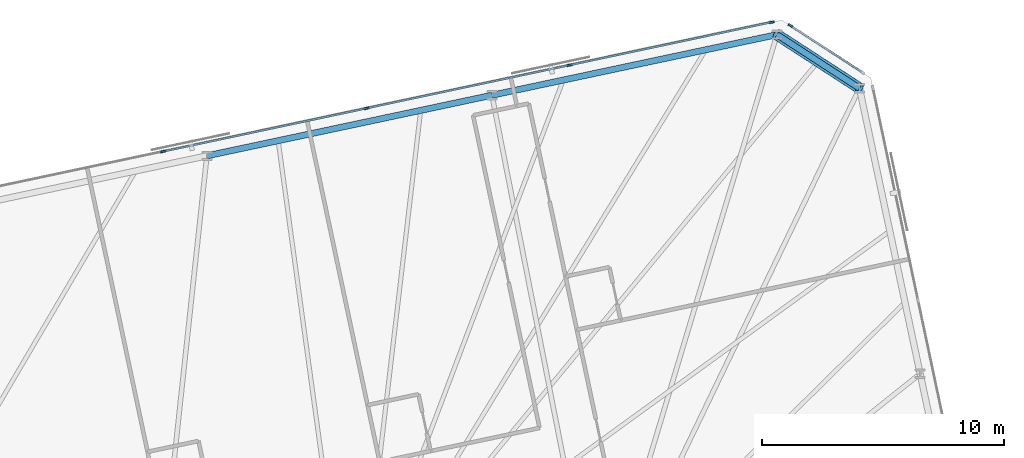
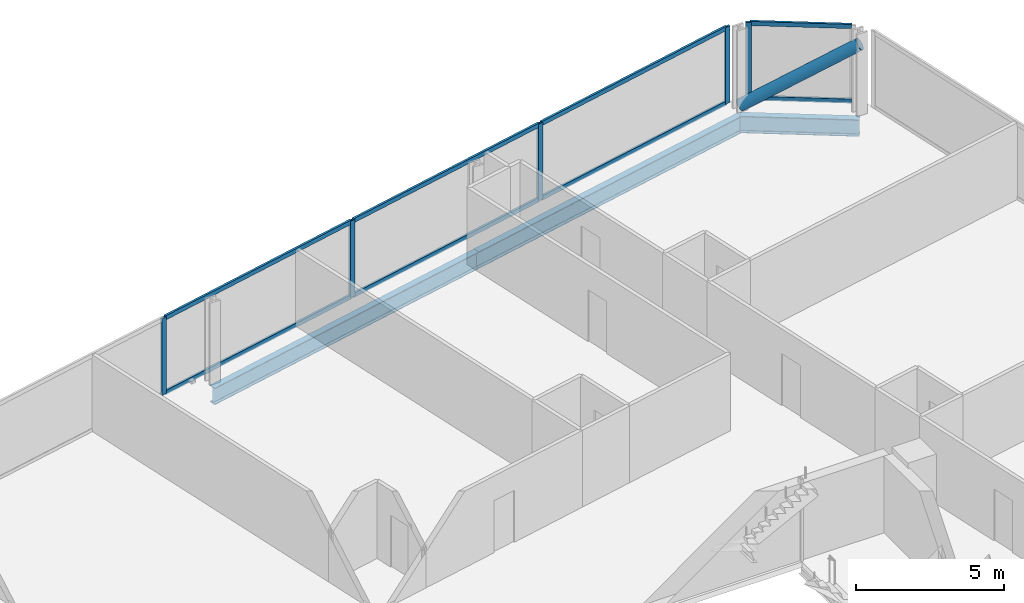
# One storey, part 11 of 19: 14 members, 3 beams, 2 elements without a shape of their own.
"""IFC4 building model written with IfcOpenShell, lengths in metres."""

import ifcopenshell
import ifcopenshell.guid

model = None  # the IFC model being written
_history = None  # IfcOwnerHistory: only IFC2X3 demands one
_inside = {}  # id of a spatial element -> (the spatial element, [elements in it])
_under = {}  # id of a project, library or spatial element -> (it, [spatial elements below it])
_declared = {}  # id of a project -> (the project, [libraries it declares])
_typed = {}  # id of a type object -> (the type object, [elements of that type])
_made_of = {}  # id of a material, layer set ... -> (it, [elements and type objects made of it])


def new_model(schema):
    """Start an empty IFC model of exactly this schema.

    Asked for "IFC4X3", IfcOpenShell would pick the latest addendum, in which some entities
    have other attributes; the version numbers below select the first issue.
    IFC2X3 requires an IfcOwnerHistory on every rooted entity: one is made here for all.
    """
    global model, _history
    if schema == "IFC4X3":
        model = ifcopenshell.file(schema_version=(4, 3, 0, 0))
    else:
        model = ifcopenshell.file(schema=schema)
    _inside.clear()
    _under.clear()
    _declared.clear()
    _typed.clear()
    _made_of.clear()
    _history = None
    if model.schema == "IFC2X3":
        org = make("IfcOrganization", Name="unknown")
        user = make(
            "IfcPersonAndOrganization",
            ThePerson=make("IfcPerson", FamilyName="unknown"),
            TheOrganization=org,
        )
        app = make(
            "IfcApplication",
            ApplicationDeveloper=org,
            Version="unknown",
            ApplicationFullName="unknown",
            ApplicationIdentifier="unknown",
        )
        _history = make(
            "IfcOwnerHistory",
            OwningUser=user,
            OwningApplication=app,
            ChangeAction="ADDED",
            CreationDate=0,
        )
    return model


def make(cls, **values):
    """One entity of the class cls with the attributes given. An attribute that is None is left unset."""
    return model.create_entity(
        cls, **{name: value for name, value in values.items() if value is not None}
    )


def rooted(cls, **values):
    """An entity with a GlobalId (a new one), such as an element, a storey or a relation."""
    return make(cls, GlobalId=ifcopenshell.guid.new(), OwnerHistory=_history, **values)


def si_unit(unit_type, name, prefix=None):
    """IfcSIUnit, for example si_unit("LENGTHUNIT", "METRE", prefix="MILLI")."""
    return make("IfcSIUnit", UnitType=unit_type, Prefix=prefix, Name=name)


def assignment(units):
    """IfcUnitAssignment: the units of a project."""
    return None if units is None else make("IfcUnitAssignment", Units=units)


def point(xyz):
    """IfcCartesianPoint."""
    return None if xyz is None else make("IfcCartesianPoint", Coordinates=xyz)


def direction(xyz):
    """IfcDirection."""
    return None if xyz is None else make("IfcDirection", DirectionRatios=xyz)


def frame(location, z_axis=None, x_axis=None):
    """IfcAxis2Placement3D, a coordinate frame: its origin and axes. An axis left out is left unset."""
    return make(
        "IfcAxis2Placement3D",
        Location=point(location),
        Axis=direction(z_axis),
        RefDirection=direction(x_axis),
    )


def frame_2d(location, x_axis=None):
    """IfcAxis2Placement2D, a coordinate frame in the plane: its origin and x axis."""
    return make(
        "IfcAxis2Placement2D", Location=point(location), RefDirection=direction(x_axis)
    )


def origin():
    """The frame at (0, 0, 0) with its axes left unset."""
    return frame((0.0, 0.0, 0.0))


def origin_2d():
    """The frame at (0, 0) in the plane with its x axis left unset."""
    return frame_2d((0.0, 0.0))


def place(relative_to, where):
    """IfcLocalPlacement: puts the frame where relative to a parent placement (None: the world)."""
    return make(
        "IfcLocalPlacement", PlacementRelTo=relative_to, RelativePlacement=where
    )


def context(
    kind, dimensions, precision=None, world=None, true_north=None, identifier=None
):
    """IfcGeometricRepresentationContext, for example the 3D "Model" context."""
    return make(
        "IfcGeometricRepresentationContext",
        ContextIdentifier=identifier,
        ContextType=kind,
        CoordinateSpaceDimension=dimensions,
        Precision=precision,
        WorldCoordinateSystem=world,
        TrueNorth=true_north,
    )


def subcontext(parent, identifier, kind, view, scale=None):
    """IfcGeometricRepresentationSubContext, for example "Body" below "Model"."""
    return make(
        "IfcGeometricRepresentationSubContext",
        ContextIdentifier=identifier,
        ContextType=kind,
        ParentContext=parent,
        TargetScale=scale,
        TargetView=view,
    )


def project(units=None, contexts=None):
    """IfcProject with its units and contexts."""
    return rooted(
        "IfcProject",
        Name="project",
        RepresentationContexts=contexts,
        UnitsInContext=assignment(units),
    )


def spatial(cls, under=None, at=None, **own):
    """A site, building, storey or space (cls), placed at a placement, below another one or the project."""
    s = rooted(cls, ObjectPlacement=at, **own)
    if under is not None:
        _under.setdefault(under.id(), (under, []))[1].append(s)
    return s


def profile(cls, at=None, kind="AREA", **sizes):
    """A parametric profile (cls). Its sizes go by their IFC names, for example OverallWidth=200.0."""
    return make(cls, ProfileType=kind, Position=at, **sizes)


def rectangle(**sizes):
    """IfcRectangleProfileDef."""
    return profile("IfcRectangleProfileDef", **sizes)


def hollow_circle(**sizes):
    """IfcCircleHollowProfileDef."""
    return profile("IfcCircleHollowProfileDef", **sizes)


def i_section(**sizes):
    """IfcIShapeProfileDef."""
    return profile("IfcIShapeProfileDef", **sizes)


def extrude(swept, where, along, depth):
    """IfcExtrudedAreaSolid: the profile swept, set in the frame where, extruded along a direction by depth."""
    return make(
        "IfcExtrudedAreaSolid",
        SweptArea=swept,
        Position=where,
        ExtrudedDirection=direction(along),
        Depth=depth,
    )


def shape(context_of_items, identifier, shape_type, items):
    """IfcShapeRepresentation: the items that make up one representation, for example the "Body"."""
    return make(
        "IfcShapeRepresentation",
        ContextOfItems=context_of_items,
        RepresentationIdentifier=identifier,
        RepresentationType=shape_type,
        Items=items,
    )


def material(Name=None, Category=None):
    """IfcMaterial."""
    return make("IfcMaterial", Name=Name, Category=Category)


def material_profile(
    of_material, cross_section, Name=None, Category=None, Priority=None
):
    """IfcMaterialProfile: a cross section and its material."""
    return make(
        "IfcMaterialProfile",
        Name=Name,
        Material=of_material,
        Profile=cross_section,
        Priority=Priority,
        Category=Category,
    )


def profile_set(profiles, Name=None, composite=None):
    """IfcMaterialProfileSet."""
    return make(
        "IfcMaterialProfileSet",
        Name=Name,
        MaterialProfiles=profiles,
        CompositeProfile=composite,
    )


def made_of(thing, what):
    """Note that an element or type object is made of a material, layer set ...; save() writes the relation."""
    if what is not None:
        _made_of.setdefault(what.id(), (what, []))[1].append(thing)
    return thing


def type_object(cls, material=None, **own):
    """A type object (cls), such as IfcWallType, which elements share."""
    return made_of(rooted(cls, **own), material)


def element(
    cls,
    number,
    at=None,
    inside=None,
    cuts=None,
    type_object=None,
    material=None,
    context=None,
    identifier="Body",
    shape_type=None,
    held_by="IfcProductDefinitionShape",
    body=None,
    shapes=None,
    **own,
):
    """One element of the class cls, such as IfcWall. Its Tag is "e" and its number.

    at: its placement. inside: the storey or other place that contains it. cuts: it is an
    opening in that element (IfcRelVoidsElement). A single representation is given by context,
    identifier, shape_type and body (its items); several are given by shapes. held_by: the class
    of the entity that holds the representations. save() writes the other relations.
    """
    e = rooted(cls, Tag="e%d" % number, ObjectPlacement=at, **own)
    if body is not None:
        shapes = [shape(context, identifier, shape_type, body)]
    if shapes is not None:
        e.Representation = make(held_by, Representations=shapes)
    if inside is not None:
        _inside.setdefault(inside.id(), (inside, []))[1].append(e)
    if cuts is not None:
        rooted(
            "IfcRelVoidsElement", RelatingBuildingElement=cuts, RelatedOpeningElement=e
        )
    if type_object is not None:
        _typed.setdefault(type_object.id(), (type_object, []))[1].append(e)
    return made_of(e, material)


def aggregate(whole, parts):
    """IfcRelAggregates: a whole, such as a stair, and the parts it consists of."""
    return rooted("IfcRelAggregates", RelatingObject=whole, RelatedObjects=parts)


def save(model, path):
    """Write the relations noted so far, then the file.

    IfcRelAggregates (storeys below a building ...), IfcRelContainedInSpatialStructure (elements
    in a storey), IfcRelDefinesByType, IfcRelAssociatesMaterial and IfcRelDeclares: one each for
    every whole, place, type object, material and project.
    """
    for whole, parts in _under.values():
        aggregate(whole, parts)
    for where, things in _inside.values():
        rooted(
            "IfcRelContainedInSpatialStructure",
            RelatedElements=things,
            RelatingStructure=where,
        )
    for kind, things in _typed.values():
        rooted("IfcRelDefinesByType", RelatedObjects=things, RelatingType=kind)
    for what, things in _made_of.values():
        rooted("IfcRelAssociatesMaterial", RelatedObjects=things, RelatingMaterial=what)
    for by, libraries in _declared.values():
        rooted("IfcRelDeclares", RelatingContext=by, RelatedDefinitions=libraries)
    model.write(path)


model = new_model("IFC4")

# Units and contexts
model_context = context("Model", 3, precision=1e-05, world=origin(), true_north=direction((0.0, 1.0)))
body_context = subcontext(model_context, "Body", "Model", "MODEL_VIEW")
ifc_project = project(units=[si_unit("LENGTHUNIT", "METRE"), si_unit("AREAUNIT", "SQUARE_METRE"), si_unit("VOLUMEUNIT", "CUBIC_METRE"), si_unit("PLANEANGLEUNIT", "RADIAN"), si_unit("MASSUNIT", "GRAM", prefix="KILO")], contexts=[model_context])

# Site, building, storey
site_placement = place(None, origin())
site = spatial("IfcSite", under=ifc_project, at=site_placement, CompositionType="ELEMENT")
building_placement = place(site_placement, origin())
building = spatial("IfcBuilding", under=site, at=building_placement, Name="Menara Jurai Vektor", CompositionType="ELEMENT")
storey_placement = place(building_placement, frame((0.0, 0.0, 161.60009765625)))
storey = spatial("IfcBuildingStorey", under=building, at=storey_placement, Name="L41", CompositionType="ELEMENT", Elevation=161.60009765625)

# Curtain wall, member
ifc_material_1 = material(Name="Anodised Pale Aluminium & Low-E Double Glazing", Category="aluminium")
curtain_wall_type = type_object("IfcCurtainWallType", Name="CW-BLK3", PredefinedType="NOTDEFINED", material=ifc_material_1)
curtain_wall_1_placement = place(storey_placement, origin())
curtain_wall_1 = element("IfcCurtainWall", 1, at=curtain_wall_1_placement, inside=storey, type_object=curtain_wall_type, Name="Unitised Curtain Wall L41 F04", PredefinedType="NOTDEFINED")
ifc_material_2 = material(Name="Anodised Pale Aluminium Mullion", Category="aluminium")
ifc_material_profile_1 = material_profile(ifc_material_2, rectangle(XDim=0.0849609375, YDim=0.205078125, at=origin_2d()), Name="ALU MUL 85x205")
ifc_profile_set_1 = profile_set([ifc_material_profile_1], Name="Anodised Pale Aluminium Mullion")
member_type_1 = type_object("IfcMemberType", Name="CW-BLK3-MUL", PredefinedType="MULLION", material=ifc_profile_set_1)
member_1_placement = place(storey_placement, frame((23.219970703125, 29.920654296875, 0.0), z_axis=(0.0, 0.0, 1.0), x_axis=(-0.544617794346, -0.838684361415, 0.0)))
member_1 = element("IfcMember", 2, at=member_1_placement, type_object=member_type_1, Name="CW-03 mullion 2", PredefinedType="MULLION", context=body_context, shape_type="SweptSolid", body=[
    extrude(rectangle(XDim=0.0849609375, YDim=0.205078125, at=origin_2d()), origin(), (0.0, 0.0, 1.0), 3.1748046875),
])

# Curtain wall, members
curtain_wall_2_placement = place(storey_placement, origin())
curtain_wall_2 = element("IfcCurtainWall", 3, at=curtain_wall_2_placement, inside=storey, type_object=curtain_wall_type, Name="Unitised Curtain Wall L41 F05", PredefinedType="NOTDEFINED")
member_2_placement = place(storey_placement, frame((22.452392578125, 30.062744140625, 0.0), z_axis=(0.0, 0.0, 1.0), x_axis=(0.207911344156, -0.978147674419, 0.0)))
member_2 = element("IfcMember", 4, at=member_2_placement, type_object=member_type_1, Name="CW-03 mullion 1", PredefinedType="MULLION", context=body_context, shape_type="SweptSolid", body=[
    extrude(rectangle(XDim=0.0849609375, YDim=0.205078125, at=origin_2d()), origin(), (0.0, 0.0, 1.0), 3.1748046875),
])
member_3_placement = place(storey_placement, frame((14.104248046875, 28.288330078125, 0.0), z_axis=(0.0, 0.0, 1.0), x_axis=(0.207911344156, -0.978147674419, 0.0)))
member_3 = element("IfcMember", 5, at=member_3_placement, type_object=member_type_1, Name="CW-03 mullion 2", PredefinedType="MULLION", context=body_context, shape_type="SweptSolid", body=[
    extrude(rectangle(XDim=0.0849609375, YDim=0.205078125, at=origin_2d()), origin(), (0.0, 0.0, 1.0), 3.1748046875),
])
member_4_placement = place(storey_placement, frame((5.71435546875, 26.505126953125, 0.0), z_axis=(0.0, 0.0, 1.0), x_axis=(0.207911344156, -0.978147674419, 0.0)))
member_4 = element("IfcMember", 6, at=member_4_placement, type_object=member_type_1, Name="CW-03 mullion 3", PredefinedType="MULLION", context=body_context, shape_type="SweptSolid", body=[
    extrude(rectangle(XDim=0.0849609375, YDim=0.205078125, at=origin_2d()), origin(), (0.0, 0.0, 1.0), 3.1748046875),
])
member_5_placement = place(storey_placement, frame((-2.67529296875, 24.721923828125, 0.0), z_axis=(0.0, 0.0, 1.0), x_axis=(0.207911344156, -0.978147674419, 0.0)))
member_5 = element("IfcMember", 7, at=member_5_placement, type_object=member_type_1, Name="CW-03 mullion 4", PredefinedType="MULLION", context=body_context, shape_type="SweptSolid", body=[
    extrude(rectangle(XDim=0.0849609375, YDim=0.205078125, at=origin_2d()), origin(), (0.0, 0.0, 1.0), 3.1748046875),
])

# Member
ifc_material_3 = material(Name="Anodised Pale Aluminium Transom", Category="aluminium")
ifc_material_profile_2 = material_profile(ifc_material_3, rectangle(XDim=0.0849609375, YDim=0.175048828125, at=origin_2d()), Name="ALU TRN 85x175")
ifc_profile_set_2 = profile_set([ifc_material_profile_2], Name="Anodised Pale Aluminium Transom")
member_type_2 = type_object("IfcMemberType", Name="CW-BLK3-TRN", PredefinedType="USERDEFINED", material=ifc_profile_set_2)
member_6_placement = place(storey_placement, frame((26.15234375, 28.016357421875, 0.04248046875), z_axis=(-0.83867770631, 0.54462804274, 0.0), x_axis=(-0.54462804274, -0.83867770631, 0.0)))
member_6 = element("IfcMember", 8, at=member_6_placement, type_object=member_type_2, Name="CW-03 transom 1.1", ObjectType="TRANSOM", PredefinedType="USERDEFINED", context=body_context, shape_type="SweptSolid", body=[
    extrude(rectangle(XDim=0.0849609375, YDim=0.175048828125, at=origin_2d()), origin(), (0.0, 0.0, 1.0), 3.453857421875),
])

member_7_placement = place(storey_placement, frame((26.15234375, 28.016357421875, 3.13232421875), z_axis=(-0.83867770631, 0.54462804274, 0.0), x_axis=(-0.54462804274, -0.83867770631, 0.0)))
member_7 = element("IfcMember", 9, at=member_7_placement, type_object=member_type_2, Name="CW-03 transom 1.2", ObjectType="TRANSOM", PredefinedType="USERDEFINED", context=body_context, shape_type="SweptSolid", body=[
    extrude(rectangle(XDim=0.0849609375, YDim=0.175048828125, at=origin_2d()), origin(), (0.0, 0.0, 1.0), 3.453857421875),
])

aggregate(curtain_wall_1, [member_1, member_6, member_7])

member_8_placement = place(storey_placement, frame((22.41064453125, 30.053955078125, 0.04248046875), z_axis=(-0.978151580361, -0.207892967261, 0.0), x_axis=(0.207892967261, -0.978151580361, 0.0)))
member_8 = element("IfcMember", 10, at=member_8_placement, type_object=member_type_2, Name="CW-03 transom 1.1", ObjectType="TRANSOM", PredefinedType="USERDEFINED", context=body_context, shape_type="SweptSolid", body=[
    extrude(rectangle(XDim=0.0849609375, YDim=0.175048828125, at=origin_2d()), origin(), (0.0, 0.0, 1.0), 8.449462890625),
])

member_9_placement = place(storey_placement, frame((22.41064453125, 30.053955078125, 3.13232421875), z_axis=(-0.978151580361, -0.207892967261, 0.0), x_axis=(0.207892967261, -0.978151580361, 0.0)))
member_9 = element("IfcMember", 11, at=member_9_placement, type_object=member_type_2, Name="CW-03 transom 1.2", ObjectType="TRANSOM", PredefinedType="USERDEFINED", context=body_context, shape_type="SweptSolid", body=[
    extrude(rectangle(XDim=0.0849609375, YDim=0.175048828125, at=origin_2d()), origin(), (0.0, 0.0, 1.0), 8.449462890625),
])

member_10_placement = place(storey_placement, frame((14.0625, 28.279541015625, 0.04248046875), z_axis=(-0.978146500933, -0.207916864907, 0.0), x_axis=(0.207916864907, -0.978146500933, 0.0)))
member_10 = element("IfcMember", 12, at=member_10_placement, type_object=member_type_2, Name="CW-03 transom 2.1", ObjectType="TRANSOM", PredefinedType="USERDEFINED", context=body_context, shape_type="SweptSolid", body=[
    extrude(rectangle(XDim=0.0849609375, YDim=0.175048828125, at=origin_2d()), origin(), (0.0, 0.0, 1.0), 8.491943359375),
])

member_11_placement = place(storey_placement, frame((14.0625, 28.279541015625, 3.13232421875), z_axis=(-0.978146500933, -0.207916864907, 0.0), x_axis=(0.207916864907, -0.978146500933, 0.0)))
member_11 = element("IfcMember", 13, at=member_11_placement, type_object=member_type_2, Name="CW-03 transom 2.2", ObjectType="TRANSOM", PredefinedType="USERDEFINED", context=body_context, shape_type="SweptSolid", body=[
    extrude(rectangle(XDim=0.0849609375, YDim=0.175048828125, at=origin_2d()), origin(), (0.0, 0.0, 1.0), 8.491943359375),
])

member_12_placement = place(storey_placement, frame((5.6728515625, 26.496337890625, 0.04248046875), z_axis=(-0.978147743708, -0.207911018178, 0.0), x_axis=(0.207911018178, -0.978147743708, 0.0)))
member_12 = element("IfcMember", 14, at=member_12_placement, type_object=member_type_2, Name="CW-03 transom 3.1", ObjectType="TRANSOM", PredefinedType="USERDEFINED", context=body_context, shape_type="SweptSolid", body=[
    extrude(rectangle(XDim=0.0849609375, YDim=0.175048828125, at=origin_2d()), origin(), (0.0, 0.0, 1.0), 8.4921875),
])

member_13_placement = place(storey_placement, frame((5.6728515625, 26.496337890625, 3.13232421875), z_axis=(-0.978147743708, -0.207911018178, 0.0), x_axis=(0.207911018178, -0.978147743708, 0.0)))
member_13 = element("IfcMember", 15, at=member_13_placement, type_object=member_type_2, Name="CW-03 transom 3.2", ObjectType="TRANSOM", PredefinedType="USERDEFINED", context=body_context, shape_type="SweptSolid", body=[
    extrude(rectangle(XDim=0.0849609375, YDim=0.175048828125, at=origin_2d()), origin(), (0.0, 0.0, 1.0), 8.4921875),
])

aggregate(curtain_wall_2, [member_2, member_3, member_4, member_5, member_8, member_9, member_10, member_11, member_12, member_13])

ifc_material_4 = material(Name="Steel S460", Category="steel")
ifc_material_profile_3 = material_profile(ifc_material_4, hollow_circle(Radius=0.228515625, WallThickness=0.01611328125, at=origin_2d()), Name="CHS 457x16")
ifc_profile_set_3 = profile_set([ifc_material_profile_3], Name="Steel S460")
member_type_3 = type_object("IfcMemberType", Name="STR-BR-457", PredefinedType="BRACE", material=ifc_profile_set_3)
member_14_placement = place(storey_placement, frame((22.664794921875, 29.545654296875, 0.14990234375), z_axis=(0.700418818423, -0.454848055166, 0.550024295382), x_axis=(0.544631249681, 0.838675623749, 0.0)))
element("IfcMember", 16, at=member_14_placement, inside=storey, type_object=member_type_3, Name="Exoskeleton Corner Brace L41-2", PredefinedType="BRACE", context=body_context, shape_type="SweptSolid", body=[
    extrude(hollow_circle(Radius=0.228515625, WallThickness=0.01611328125, at=origin_2d()), origin(), (0.0, 0.0, 1.0), 4.863525390625),
])

# Beams
ifc_material_profile_4 = material_profile(ifc_material_4, i_section(OverallWidth=0.256103515625, OverallDepth=0.693115234375, WebThickness=0.013916015625, FlangeThickness=0.02392578125, FilletRadius=0.014892578125, at=origin_2d()), Name="UKB 686x254x170")
ifc_profile_set_4 = profile_set([ifc_material_profile_4], Name="Steel S460")
beam_type = type_object("IfcBeamType", Name="STR-SP-686", PredefinedType="SPANDREL", material=ifc_profile_set_4)
beam_1_placement = place(storey_placement, frame((26.0712890625, 27.33349609375, -0.571533203125), z_axis=(-0.838675623749, 0.544631249681, 0.0), x_axis=(-0.544631249681, -0.838675623749, 0.0)))
element("IfcBeam", 17, at=beam_1_placement, inside=storey, type_object=beam_type, Name="Exoskeleton Spandrel Beam L41-10", PredefinedType="SPANDREL", context=body_context, shape_type="SweptSolid", body=[
    extrude(i_section(OverallWidth=0.256103515625, OverallDepth=0.693115234375, WebThickness=0.013916015625, FlangeThickness=0.02392578125, FilletRadius=0.014892578125, at=origin_2d()), origin(), (0.0, 0.0, 1.0), 4.061767578125),
])
beam_2_placement = place(storey_placement, frame((22.664794921875, 29.545654296875, -0.571533203125), z_axis=(-0.978147039247, -0.207914332389, 0.0), x_axis=(0.207914332389, -0.978147039247, 0.0)))
element("IfcBeam", 18, at=beam_2_placement, inside=storey, type_object=beam_type, Name="Exoskeleton Spandrel Beam L41-11", PredefinedType="SPANDREL", context=body_context, shape_type="SweptSolid", body=[
    extrude(i_section(OverallWidth=0.256103515625, OverallDepth=0.693115234375, WebThickness=0.013916015625, FlangeThickness=0.02392578125, FilletRadius=0.014892578125, at=origin_2d()), origin(), (0.0, 0.0, 1.0), 12.03125),
])
beam_3_placement = place(storey_placement, frame((10.896484375, 27.044189453125, -0.571533203125), z_axis=(-0.978150288855, -0.207899043801, 0.0), x_axis=(0.207899043801, -0.978150288855, 0.0)))
element("IfcBeam", 19, at=beam_3_placement, inside=storey, type_object=beam_type, Name="Exoskeleton Spandrel Beam L41-12", PredefinedType="SPANDREL", context=body_context, shape_type="SweptSolid", body=[
    extrude(i_section(OverallWidth=0.256103515625, OverallDepth=0.693115234375, WebThickness=0.013916015625, FlangeThickness=0.02392578125, FilletRadius=0.014892578125, at=origin_2d()), origin(), (0.0, 0.0, 1.0), 12.031005859375),
])

save(model, "model.ifc")
